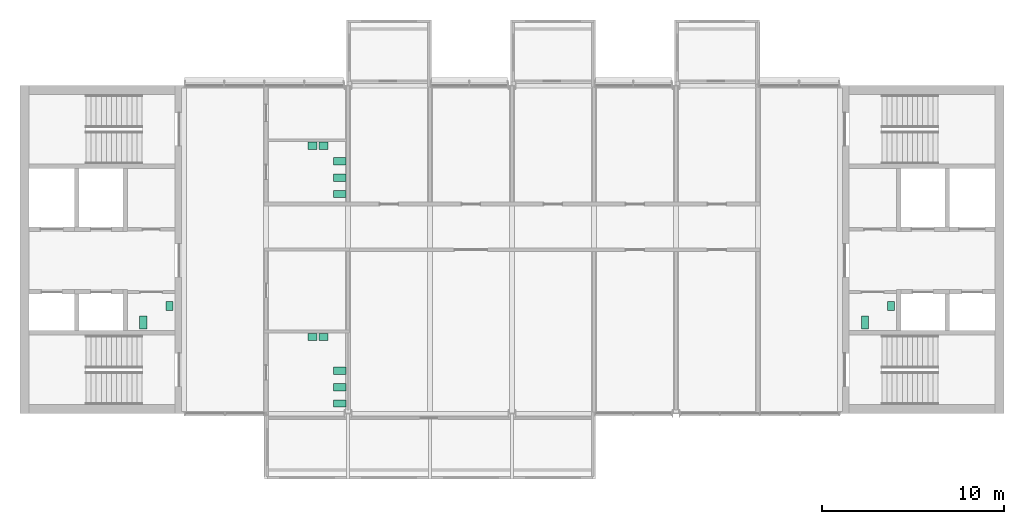
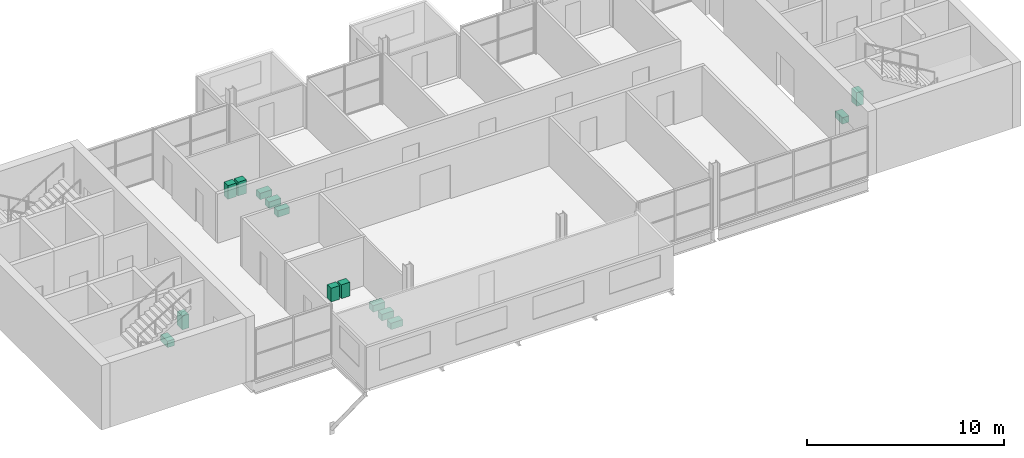
# One storey, part 12 of 12: 14 sanitary terminals.
"""IFC4 building model written with IfcOpenShell, lengths in metres."""

from ifc_helpers import new_model, si_unit, direction, frame, origin, origin_2d, place, context, subcontext, project, spatial, rectangle, extrude, element, save


model = new_model("IFC4")

# Units and contexts
model_context = context("Model", 3, precision=1e-05, world=origin(), true_north=direction((0.0, 1.0)))
body_context = subcontext(model_context, "Body", "Model", "MODEL_VIEW")
ifc_project = project(units=[si_unit("LENGTHUNIT", "METRE"), si_unit("AREAUNIT", "SQUARE_METRE"), si_unit("VOLUMEUNIT", "CUBIC_METRE"), si_unit("PLANEANGLEUNIT", "RADIAN"), si_unit("MASSUNIT", "GRAM", prefix="KILO")], contexts=[model_context])

# Site, building, storey
site_placement = place(None, origin())
site = spatial("IfcSite", under=ifc_project, at=site_placement, CompositionType="ELEMENT")
building_placement = place(site_placement, origin())
building = spatial("IfcBuilding", under=site, at=building_placement, Name="Corbel Yard City Hall", CompositionType="ELEMENT")
storey_placement = place(building_placement, frame((0.0, 0.0, 31.199951171875)))
storey = spatial("IfcBuildingStorey", under=building, at=storey_placement, Name="L07", CompositionType="ELEMENT", Elevation=31.199951171875)

# Sanitary terminals
sanitary_terminal_1_placement = place(storey_placement, frame((46.36669921875, 104.0, 0.0), z_axis=(0.0, 0.0, 1.0), x_axis=(1.0, 0.0, 0.0)))
element("IfcSanitaryTerminal", 1, at=sanitary_terminal_1_placement, inside=storey, Name="Water closet", PredefinedType="TOILETPAN", context=body_context, shape_type="SweptSolid", body=[
    extrude(rectangle(XDim=0.39990234375, YDim=0.699951171875, at=origin_2d()), origin(), (0.0, 0.0, 1.0), 0.39990234375),
])
sanitary_terminal_2_placement = place(storey_placement, frame((47.800048828125, 104.89990234375, 0.0), z_axis=(0.0, 0.0, 1.0), x_axis=(1.0, 0.0, 0.0)))
element("IfcSanitaryTerminal", 2, at=sanitary_terminal_2_placement, inside=storey, Name="Wash basin", PredefinedType="WASHHANDBASIN", context=body_context, shape_type="SweptSolid", body=[
    extrude(rectangle(XDim=0.39990234375, YDim=0.5, at=origin_2d()), origin(), (0.0, 0.0, 1.0), 0.85009765625),
])
sanitary_terminal_3_placement = place(storey_placement, frame((6.7666015625, 104.0, 0.0), z_axis=(0.0, 0.0, 1.0), x_axis=(1.0, 0.0, 0.0)))
element("IfcSanitaryTerminal", 3, at=sanitary_terminal_3_placement, inside=storey, Name="Water closet", PredefinedType="TOILETPAN", context=body_context, shape_type="SweptSolid", body=[
    extrude(rectangle(XDim=0.39990234375, YDim=0.699951171875, at=origin_2d()), origin(), (0.0, 0.0, 1.0), 0.39990234375),
])
sanitary_terminal_4_placement = place(storey_placement, frame((8.199951171875, 104.89990234375, 0.0), z_axis=(0.0, 0.0, 1.0), x_axis=(1.0, 0.0, 0.0)))
element("IfcSanitaryTerminal", 4, at=sanitary_terminal_4_placement, inside=storey, Name="Wash basin", PredefinedType="WASHHANDBASIN", context=body_context, shape_type="SweptSolid", body=[
    extrude(rectangle(XDim=0.39990234375, YDim=0.5, at=origin_2d()), origin(), (0.0, 0.0, 1.0), 0.85009765625),
])
for number, where, z_axis, x_axis, name in (
    (5, (17.550048828125, 99.550048828125, 0.0), (0.0, 0.0, 1.0), (1.0, 0.0, 0.0), "Water closet"),
    (6, (17.550048828125, 100.449951171875, 0.0), (0.0, 0.0, 1.0), (1.0, 0.0, 0.0), "Water closet"),
    (7, (17.550048828125, 101.35009765625, 0.0), (0.0, 0.0, 1.0), (1.0, 0.0, 0.0), "Water closet"),
):
    element("IfcSanitaryTerminal", number, at=place(storey_placement, frame(where, z_axis=z_axis, x_axis=x_axis)), inside=storey, Name=name, PredefinedType="TOILETPAN", context=body_context, shape_type="SweptSolid", body=[
        extrude(rectangle(XDim=0.699951171875, YDim=0.39990234375, at=origin_2d()), origin(), (0.0, 0.0, 1.0), 0.39990234375),
    ])
for number, where, z_axis, x_axis, name in (
    (8, (16.64990234375, 103.199951171875, 0.0), (0.0, 0.0, 1.0), (1.0, 0.0, 0.0), "Wash basin"),
    (9, (16.050048828125, 103.199951171875, 0.0), (0.0, 0.0, 1.0), (1.0, 0.0, 0.0), "Wash basin"),
):
    element("IfcSanitaryTerminal", number, at=place(storey_placement, frame(where, z_axis=z_axis, x_axis=x_axis)), inside=storey, Name=name, PredefinedType="WASHHANDBASIN", context=body_context, shape_type="SweptSolid", body=[
        extrude(rectangle(XDim=0.5, YDim=0.39990234375, at=origin_2d()), origin(), (0.0, 0.0, 1.0), 0.85009765625),
    ])
for number, where, z_axis, x_axis, name in (
    (10, (17.550048828125, 111.050048828125, 0.0), (0.0, 0.0, 1.0), (1.0, 0.0, 0.0), "Water closet"),
    (11, (17.550048828125, 111.949951171875, 0.0), (0.0, 0.0, 1.0), (1.0, 0.0, 0.0), "Water closet"),
    (12, (17.550048828125, 112.85009765625, 0.0), (0.0, 0.0, 1.0), (1.0, 0.0, 0.0), "Water closet"),
):
    element("IfcSanitaryTerminal", number, at=place(storey_placement, frame(where, z_axis=z_axis, x_axis=x_axis)), inside=storey, Name=name, PredefinedType="TOILETPAN", context=body_context, shape_type="SweptSolid", body=[
        extrude(rectangle(XDim=0.699951171875, YDim=0.39990234375, at=origin_2d()), origin(), (0.0, 0.0, 1.0), 0.39990234375),
    ])
for number, where, z_axis, x_axis, name in (
    (13, (16.64990234375, 113.699951171875, 0.0), (0.0, 0.0, 1.0), (1.0, 0.0, 0.0), "Wash basin"),
    (14, (16.050048828125, 113.699951171875, 0.0), (0.0, 0.0, 1.0), (1.0, 0.0, 0.0), "Wash basin"),
):
    element("IfcSanitaryTerminal", number, at=place(storey_placement, frame(where, z_axis=z_axis, x_axis=x_axis)), inside=storey, Name=name, PredefinedType="WASHHANDBASIN", context=body_context, shape_type="SweptSolid", body=[
        extrude(rectangle(XDim=0.5, YDim=0.39990234375, at=origin_2d()), origin(), (0.0, 0.0, 1.0), 0.85009765625),
    ])

save(model, "model.ifc")
